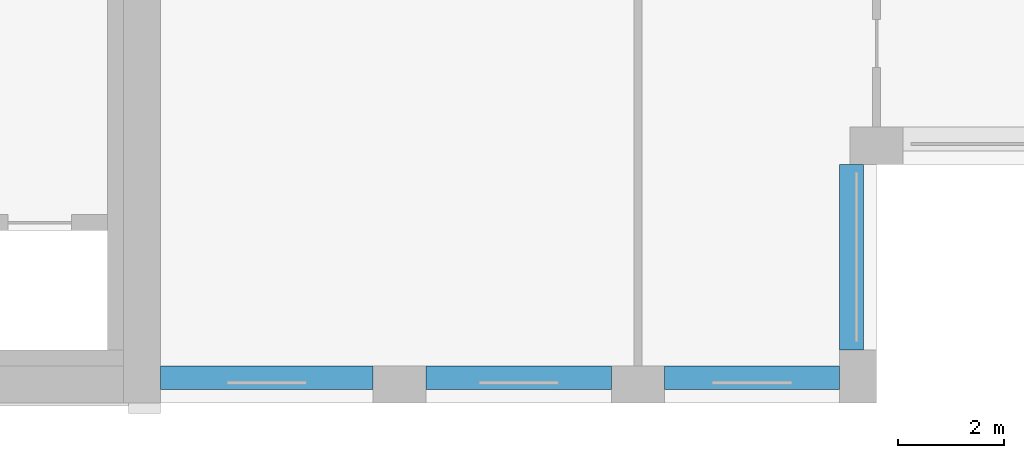
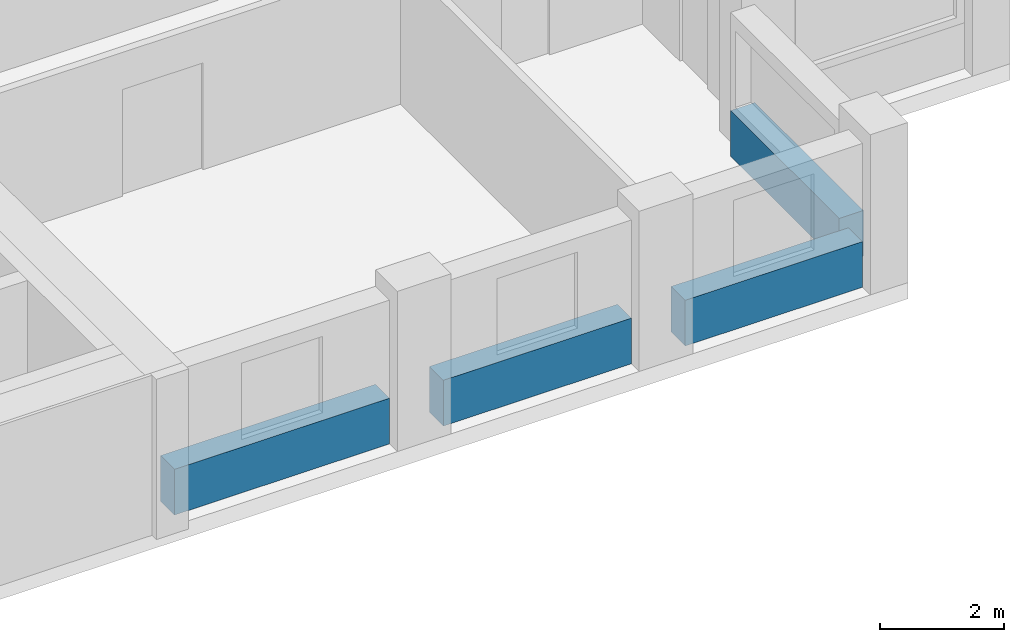
# One storey, part 3 of 16: 4 beams.
"""IFC4 building model written with IfcOpenShell, lengths in metres."""

from ifc_helpers import new_model, si_unit, direction, frame, origin, origin_2d, place, context, subcontext, project, spatial, rectangle, extrude, material, material_profile, profile_set, type_object, element, save


model = new_model("IFC4")

# Units and contexts
model_context = context("Model", 3, precision=1e-05, world=origin(), true_north=direction((0.0, 1.0)))
body_context = subcontext(model_context, "Body", "Model", "MODEL_VIEW")
ifc_project = project(units=[si_unit("LENGTHUNIT", "METRE"), si_unit("AREAUNIT", "SQUARE_METRE"), si_unit("VOLUMEUNIT", "CUBIC_METRE"), si_unit("PLANEANGLEUNIT", "RADIAN"), si_unit("MASSUNIT", "GRAM", prefix="KILO")], contexts=[model_context])

# Site, building, storey
site_placement = place(None, origin())
site = spatial("IfcSite", under=ifc_project, at=site_placement, CompositionType="ELEMENT")
building_placement = place(site_placement, origin())
building = spatial("IfcBuilding", under=site, at=building_placement, Name="Brigalow Station Residences", CompositionType="ELEMENT")
storey_placement = place(building_placement, frame((0.0, 0.0, 160.199951171875)))
storey = spatial("IfcBuildingStorey", under=building, at=storey_placement, Name="L46", CompositionType="ELEMENT", Elevation=160.199951171875)

# Beams
ifc_material = material(Name="Concrete C50", Category="concrete")
ifc_material_profile = material_profile(ifc_material, rectangle(XDim=0.449951171875, YDim=0.89990234375, at=origin_2d()), Name="RC450x900")
ifc_profile_set = profile_set([ifc_material_profile], Name="Concrete C50")
beam_type = type_object("IfcBeamType", Name="SPANDREL BEAM 450x900 C50", PredefinedType="SPANDREL", material=ifc_profile_set)
beam_1_placement = place(storey_placement, frame((54.0, 0.47509765625, 0.449951171875), z_axis=(1.0, 0.0, 0.0), x_axis=(0.0, 1.0, 0.0)))
element("IfcBeam", 1, at=beam_1_placement, inside=storey, type_object=beam_type, Name="L46/spandrel/W-L46-4", PredefinedType="SPANDREL", context=body_context, shape_type="SweptSolid", body=[
    extrude(rectangle(XDim=0.449951171875, YDim=0.89990234375, at=origin_2d()), origin(), (0.0, 0.0, 1.0), 4.0),
])
beam_2_placement = place(storey_placement, frame((59.0, 0.47509765625, 0.449951171875), z_axis=(1.0, 0.0, 0.0), x_axis=(0.0, 1.0, 0.0)))
element("IfcBeam", 2, at=beam_2_placement, inside=storey, type_object=beam_type, Name="L46/spandrel/W-L46-5", PredefinedType="SPANDREL", context=body_context, shape_type="SweptSolid", body=[
    extrude(rectangle(XDim=0.449951171875, YDim=0.89990234375, at=origin_2d()), origin(), (0.0, 0.0, 1.0), 3.5),
])
beam_3_placement = place(storey_placement, frame((63.5, 0.47509765625, 0.449951171875), z_axis=(1.0, 0.0, 0.0), x_axis=(0.0, 1.0, 0.0)))
element("IfcBeam", 3, at=beam_3_placement, inside=storey, type_object=beam_type, Name="L46/spandrel/W-L46-6", PredefinedType="SPANDREL", context=body_context, shape_type="SweptSolid", body=[
    extrude(rectangle(XDim=0.449951171875, YDim=0.89990234375, at=origin_2d()), origin(), (0.0, 0.0, 1.0), 3.300048828125),
])
beam_4_placement = place(storey_placement, frame((67.02490234375, 1.0, 0.449951171875), z_axis=(0.0, 1.0, 0.0), x_axis=(-1.0, 0.0, 0.0)))
element("IfcBeam", 4, at=beam_4_placement, inside=storey, type_object=beam_type, Name="L46/spandrel/W-L46-7", PredefinedType="SPANDREL", context=body_context, shape_type="SweptSolid", body=[
    extrude(rectangle(XDim=0.449951171875, YDim=0.89990234375, at=origin_2d()), origin(), (0.0, 0.0, 1.0), 3.5),
])

save(model, "model.ifc")
